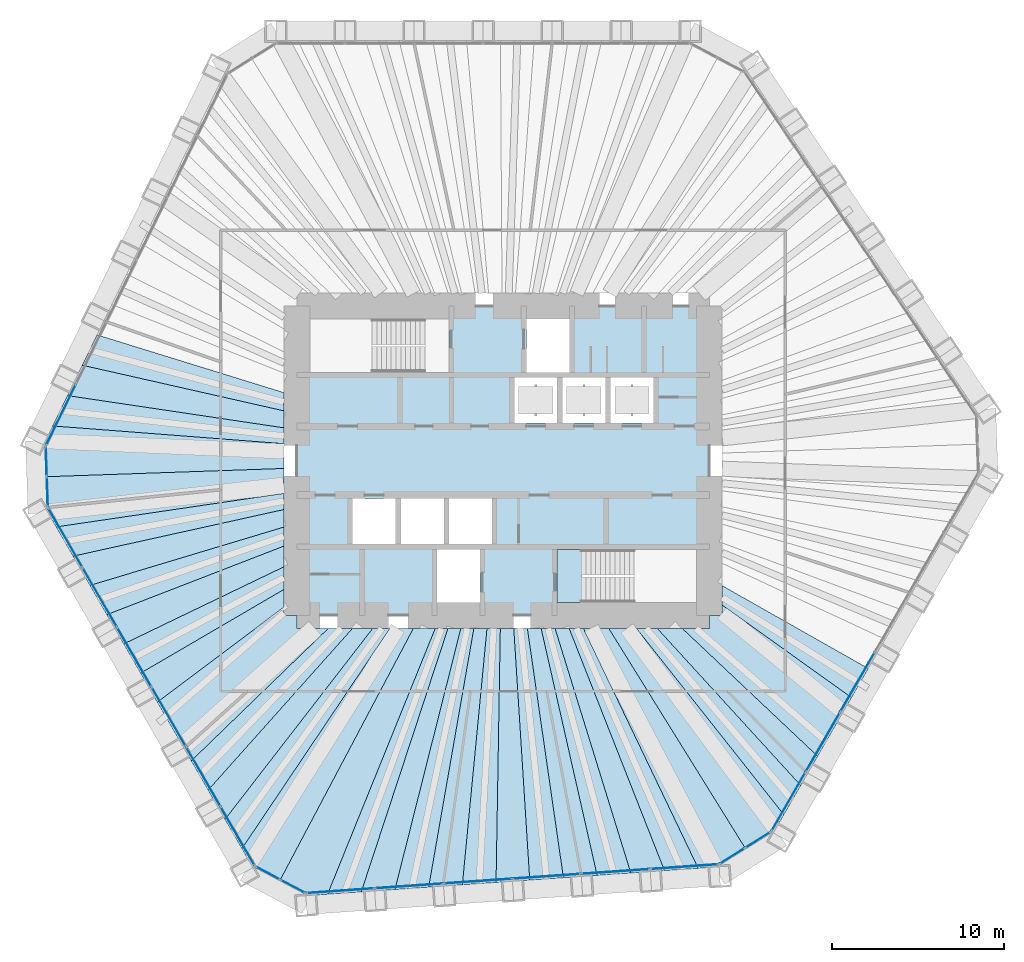
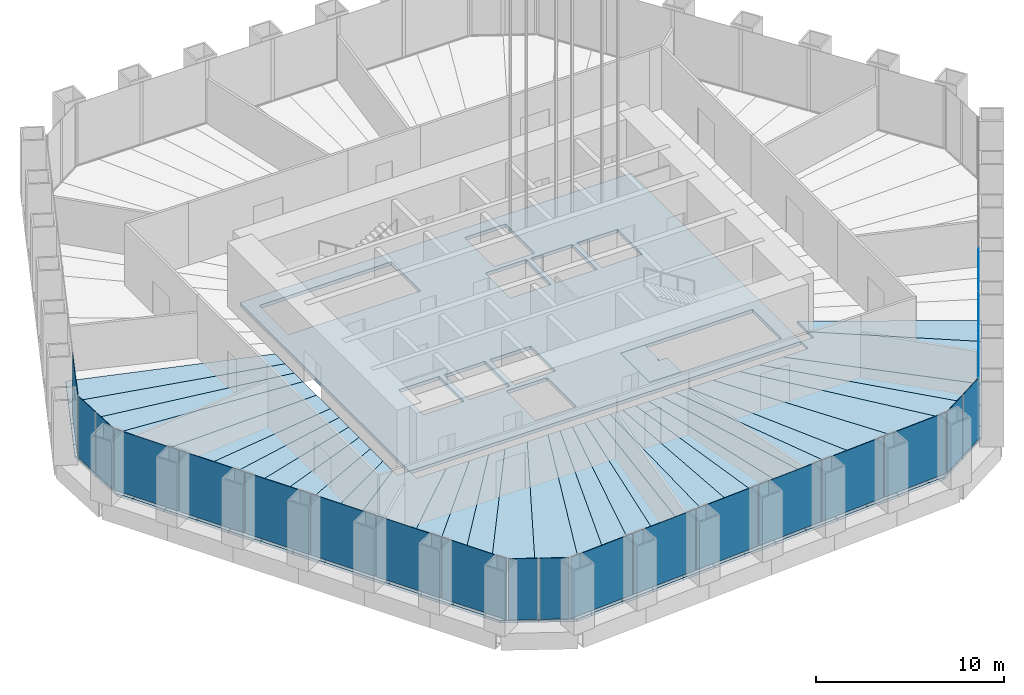
# One storey, part 8 of 20: 36 slabs, 22 plates, 8 elements without a shape of their own.
"""IFC4 building model written with IfcOpenShell, lengths in metres."""

from ifc_helpers import new_model, si_unit, direction, frame, origin, origin_2d, place, context, subcontext, project, spatial, polyline, rectangle, outline, extrude, material, layer, layer_set, type_object, element, aggregate, save


model = new_model("IFC4")

# Units and contexts
model_context = context("Model", 3, precision=1e-05, world=origin(), true_north=direction((0.0, 1.0)))
body_context = subcontext(model_context, "Body", "Model", "MODEL_VIEW")
ifc_project = project(units=[si_unit("LENGTHUNIT", "METRE"), si_unit("AREAUNIT", "SQUARE_METRE"), si_unit("VOLUMEUNIT", "CUBIC_METRE"), si_unit("PLANEANGLEUNIT", "RADIAN"), si_unit("MASSUNIT", "GRAM", prefix="KILO")], contexts=[model_context])

# Site, building, storey
site_placement = place(None, origin())
site = spatial("IfcSite", under=ifc_project, at=site_placement, CompositionType="ELEMENT")
building_placement = place(site_placement, origin())
building = spatial("IfcBuilding", under=site, at=building_placement, Name="Qingtian Harvest Tower", CompositionType="ELEMENT")
storey_placement = place(building_placement, frame((0.0, 0.0, 103.0)))
storey = spatial("IfcBuildingStorey", under=building, at=storey_placement, Name="L20", CompositionType="ELEMENT", Elevation=103.0)

# Slabs
ifc_material_1 = material(Name="Concrete fc' 35 MPa", Category="concrete")
ifc_layer_1 = layer(ifc_material_1, 0.169921875)
ifc_layer_set_1 = layer_set([ifc_layer_1], Name="Composite floor slab FS17 170")
slab_type_1 = type_object("IfcSlabType", Name="Composite floor slab FS17 170", PredefinedType="FLOOR", material=ifc_layer_set_1)
slab_1_placement = place(storey_placement, frame((0.0, 0.0, -0.169921875)))
element("IfcSlab", 1, at=slab_1_placement, inside=storey, type_object=slab_type_1, Name="Floor slab L20 panel D01", PredefinedType="FLOOR", context=body_context, shape_type="SweptSolid", body=[
    extrude(outline(polyline([(-26.55419921875, -0.927490234375), (-12.75, -0.447998046875), (-12.75, -1.89599609375), (-26.0146484375, -3.851318359375), (-26.480224609375, -3.045166015625), (-26.55419921875, -0.927490234375)])), origin(), (0.0, 0.0, 1.0), 0.169921875),
])
slab_2_placement = place(storey_placement, frame((0.0, 0.0, -0.169921875)))
element("IfcSlab", 2, at=slab_2_placement, inside=storey, type_object=slab_type_1, Name="Floor slab L20 panel D02", PredefinedType="FLOOR", context=body_context, shape_type="SweptSolid", body=[
    extrude(outline(polyline([(-12.75, -2.838134765625), (-25.03173828125, -5.5537109375), (-26.0146484375, -3.851318359375), (-12.75, -1.89599609375), (-12.75, -2.838134765625)])), origin(), (0.0, 0.0, 1.0), 0.169921875),
])
slab_3_placement = place(storey_placement, frame((0.0, 0.0, -0.169921875)))
element("IfcSlab", 3, at=slab_3_placement, inside=storey, type_object=slab_type_1, Name="Floor slab L20 panel D03", PredefinedType="FLOOR", context=body_context, shape_type="SweptSolid", body=[
    extrude(outline(polyline([(-12.75, -3.857666015625), (-24.048828125, -7.256103515625), (-25.03173828125, -5.5537109375), (-12.75, -2.838134765625), (-12.75, -3.857666015625)])), origin(), (0.0, 0.0, 1.0), 0.169921875),
])
slab_4_placement = place(storey_placement, frame((0.0, 0.0, -0.169921875)))
element("IfcSlab", 4, at=slab_4_placement, inside=storey, type_object=slab_type_1, Name="Floor slab L20 panel D04", PredefinedType="FLOOR", context=body_context, shape_type="SweptSolid", body=[
    extrude(outline(polyline([(-12.75, -4.9638671875), (-23.06591796875, -8.95849609375), (-24.048828125, -7.256103515625), (-12.75, -3.857666015625), (-12.75, -4.9638671875)])), origin(), (0.0, 0.0, 1.0), 0.169921875),
])
slab_5_placement = place(storey_placement, frame((0.0, 0.0, -0.169921875)))
element("IfcSlab", 5, at=slab_5_placement, inside=storey, type_object=slab_type_1, Name="Floor slab L20 panel D05", PredefinedType="FLOOR", context=body_context, shape_type="SweptSolid", body=[
    extrude(outline(polyline([(-12.75, -6.1689453125), (-22.0830078125, -10.660888671875), (-23.06591796875, -8.95849609375), (-12.75, -4.9638671875), (-12.75, -6.1689453125)])), origin(), (0.0, 0.0, 1.0), 0.169921875),
])
slab_6_placement = place(storey_placement, frame((0.0, 0.0, -0.169921875)))
element("IfcSlab", 6, at=slab_6_placement, inside=storey, type_object=slab_type_1, Name="Floor slab L20 panel D06", PredefinedType="FLOOR", context=body_context, shape_type="SweptSolid", body=[
    extrude(outline(polyline([(-12.75, -7.486328125), (-21.10009765625, -12.363525390625), (-22.0830078125, -10.660888671875), (-12.75, -6.1689453125), (-12.75, -7.486328125)])), origin(), (0.0, 0.0, 1.0), 0.169921875),
])
slab_7_placement = place(storey_placement, frame((0.0, 0.0, -0.169921875)))
element("IfcSlab", 7, at=slab_7_placement, inside=storey, type_object=slab_type_1, Name="Floor slab L20 panel D07", PredefinedType="FLOOR", context=body_context, shape_type="SweptSolid", body=[
    extrude(outline(polyline([(-12.75, -8.512451171875), (-20.126953125, -14.049072265625), (-21.10009765625, -12.363525390625), (-12.75, -7.486328125), (-12.75, -8.512451171875)])), origin(), (0.0, 0.0, 1.0), 0.169921875),
])
slab_8_placement = place(storey_placement, frame((0.0, 0.0, -0.169921875)))
element("IfcSlab", 8, at=slab_8_placement, inside=storey, type_object=slab_type_1, Name="Floor slab L20 panel D09", PredefinedType="FLOOR", context=body_context, shape_type="SweptSolid", body=[
    extrude(outline(polyline([(-18.152587890625, -17.46875), (-20.126953125, -14.049072265625), (-12.75, -8.512451171875), (-12.75, -9.0), (-12.0, -9.0), (-12.0, -9.75), (-10.168212890625, -9.75), (-18.152587890625, -17.46875)])), origin(), (0.0, 0.0, 1.0), 0.169921875),
])
slab_9_placement = place(storey_placement, frame((0.0, 0.0, -0.169921875)))
element("IfcSlab", 9, at=slab_9_placement, inside=storey, type_object=slab_type_1, Name="Floor slab L20 panel D10", PredefinedType="FLOOR", context=body_context, shape_type="SweptSolid", body=[
    extrude(outline(polyline([(-8.759521484375, -9.75), (-17.16943359375, -19.17138671875), (-18.152587890625, -17.46875), (-10.168212890625, -9.75), (-8.759521484375, -9.75)])), origin(), (0.0, 0.0, 1.0), 0.169921875),
])
slab_10_placement = place(storey_placement, frame((0.0, 0.0, -0.169921875)))
element("IfcSlab", 10, at=slab_10_placement, inside=storey, type_object=slab_type_1, Name="Floor slab L20 panel D11", PredefinedType="FLOOR", context=body_context, shape_type="SweptSolid", body=[
    extrude(outline(polyline([(-7.58203125, -9.75), (-16.1865234375, -20.8740234375), (-17.16943359375, -19.17138671875), (-8.759521484375, -9.75), (-7.58203125, -9.75)])), origin(), (0.0, 0.0, 1.0), 0.169921875),
])
slab_11_placement = place(storey_placement, frame((0.0, 0.0, -0.169921875)))
element("IfcSlab", 11, at=slab_11_placement, inside=storey, type_object=slab_type_1, Name="Floor slab L20 panel D12", PredefinedType="FLOOR", context=body_context, shape_type="SweptSolid", body=[
    extrude(outline(polyline([(-6.5830078125, -9.75), (-15.20361328125, -22.576416015625), (-16.1865234375, -20.8740234375), (-7.58203125, -9.75), (-6.5830078125, -9.75)])), origin(), (0.0, 0.0, 1.0), 0.169921875),
])
slab_12_placement = place(storey_placement, frame((0.0, 0.0, -0.169921875)))
element("IfcSlab", 12, at=slab_12_placement, inside=storey, type_object=slab_type_1, Name="Floor slab L20 panel D13", PredefinedType="FLOOR", context=body_context, shape_type="SweptSolid", body=[
    extrude(outline(polyline([(-6.5830078125, -9.75), (-5.21875, -9.75), (-12.94189453125, -24.337890625), (-14.738037109375, -23.3828125), (-15.20361328125, -22.576416015625), (-6.5830078125, -9.75)])), origin(), (0.0, 0.0, 1.0), 0.169921875),
])
slab_13_placement = place(storey_placement, frame((0.0, 0.0, -0.169921875)))
element("IfcSlab", 13, at=slab_13_placement, inside=storey, type_object=slab_type_1, Name="Floor slab L20 panel D14", PredefinedType="FLOOR", context=body_context, shape_type="SweptSolid", body=[
    extrude(outline(polyline([(-5.21875, -9.75), (-3.947021484375, -9.75), (-10.215576171875, -25.22900390625), (-11.143798828125, -25.2939453125), (-12.94189453125, -24.337890625), (-5.21875, -9.75)])), origin(), (0.0, 0.0, 1.0), 0.169921875),
])
slab_14_placement = place(storey_placement, frame((0.0, 0.0, -0.169921875)))
element("IfcSlab", 14, at=slab_14_placement, inside=storey, type_object=slab_type_1, Name="Floor slab L20 panel D15", PredefinedType="FLOOR", context=body_context, shape_type="SweptSolid", body=[
    extrude(outline(polyline([(-3.20654296875, -9.75), (-8.254638671875, -25.092041015625), (-10.215576171875, -25.22900390625), (-3.947021484375, -9.75), (-3.20654296875, -9.75)])), origin(), (0.0, 0.0, 1.0), 0.169921875),
])
slab_15_placement = place(storey_placement, frame((0.0, 0.0, -0.169921875)))
element("IfcSlab", 15, at=slab_15_placement, inside=storey, type_object=slab_type_1, Name="Floor slab L20 panel D16", PredefinedType="FLOOR", context=body_context, shape_type="SweptSolid", body=[
    extrude(outline(polyline([(-2.4580078125, -9.75), (-6.293701171875, -24.954833984375), (-8.254638671875, -25.092041015625), (-3.20654296875, -9.75), (-2.4580078125, -9.75)])), origin(), (0.0, 0.0, 1.0), 0.169921875),
])
slab_16_placement = place(storey_placement, frame((0.0, 0.0, -0.169921875)))
element("IfcSlab", 16, at=slab_16_placement, inside=storey, type_object=slab_type_1, Name="Floor slab L20 panel D17", PredefinedType="FLOOR", context=body_context, shape_type="SweptSolid", body=[
    extrude(outline(polyline([(-1.701171875, -9.75), (-4.332763671875, -24.817626953125), (-6.293701171875, -24.954833984375), (-2.4580078125, -9.75), (-1.701171875, -9.75)])), origin(), (0.0, 0.0, 1.0), 0.169921875),
])
slab_17_placement = place(storey_placement, frame((0.0, 0.0, -0.169921875)))
element("IfcSlab", 17, at=slab_17_placement, inside=storey, type_object=slab_type_1, Name="Floor slab L20 panel D18", PredefinedType="FLOOR", context=body_context, shape_type="SweptSolid", body=[
    extrude(outline(polyline([(-0.93603515625, -9.75), (-2.371826171875, -24.6806640625), (-4.332763671875, -24.817626953125), (-1.701171875, -9.75), (-0.93603515625, -9.75)])), origin(), (0.0, 0.0, 1.0), 0.169921875),
])
slab_18_placement = place(storey_placement, frame((0.0, 0.0, -0.169921875)))
element("IfcSlab", 18, at=slab_18_placement, inside=storey, type_object=slab_type_1, Name="Floor slab L20 panel D19", PredefinedType="FLOOR", context=body_context, shape_type="SweptSolid", body=[
    extrude(outline(polyline([(-0.162109375, -9.75), (-0.410888671875, -24.54345703125), (-2.371826171875, -24.6806640625), (-0.93603515625, -9.75), (-0.162109375, -9.75)])), origin(), (0.0, 0.0, 1.0), 0.169921875),
])
slab_19_placement = place(storey_placement, frame((0.0, 0.0, -0.169921875)))
element("IfcSlab", 19, at=slab_19_placement, inside=storey, type_object=slab_type_1, Name="Floor slab L20 panel D20", PredefinedType="FLOOR", context=body_context, shape_type="SweptSolid", body=[
    extrude(outline(polyline([(0.620361328125, -9.75), (1.550048828125, -24.40625), (-0.410888671875, -24.54345703125), (-0.162109375, -9.75), (0.620361328125, -9.75)])), origin(), (0.0, 0.0, 1.0), 0.169921875),
])
slab_20_placement = place(storey_placement, frame((0.0, 0.0, -0.169921875)))
element("IfcSlab", 20, at=slab_20_placement, inside=storey, type_object=slab_type_1, Name="Floor slab L20 panel D21", PredefinedType="FLOOR", context=body_context, shape_type="SweptSolid", body=[
    extrude(outline(polyline([(1.41162109375, -9.75), (3.510986328125, -24.269287109375), (1.550048828125, -24.40625), (0.620361328125, -9.75), (1.41162109375, -9.75)])), origin(), (0.0, 0.0, 1.0), 0.169921875),
])
slab_21_placement = place(storey_placement, frame((0.0, 0.0, -0.169921875)))
element("IfcSlab", 21, at=slab_21_placement, inside=storey, type_object=slab_type_1, Name="Floor slab L20 panel D22", PredefinedType="FLOOR", context=body_context, shape_type="SweptSolid", body=[
    extrude(outline(polyline([(2.2119140625, -9.75), (5.471923828125, -24.132080078125), (3.510986328125, -24.269287109375), (1.41162109375, -9.75), (2.2119140625, -9.75)])), origin(), (0.0, 0.0, 1.0), 0.169921875),
])
slab_22_placement = place(storey_placement, frame((0.0, 0.0, -0.169921875)))
element("IfcSlab", 22, at=slab_22_placement, inside=storey, type_object=slab_type_1, Name="Floor slab L20 panel D23", PredefinedType="FLOOR", context=body_context, shape_type="SweptSolid", body=[
    extrude(outline(polyline([(3.021484375, -9.75), (7.432861328125, -23.994873046875), (5.471923828125, -24.132080078125), (2.2119140625, -9.75), (3.021484375, -9.75)])), origin(), (0.0, 0.0, 1.0), 0.169921875),
])
slab_23_placement = place(storey_placement, frame((0.0, 0.0, -0.169921875)))
element("IfcSlab", 23, at=slab_23_placement, inside=storey, type_object=slab_type_1, Name="Floor slab L20 panel D24", PredefinedType="FLOOR", context=body_context, shape_type="SweptSolid", body=[
    extrude(outline(polyline([(3.840087890625, -9.75), (9.393798828125, -23.85791015625), (7.432861328125, -23.994873046875), (3.021484375, -9.75), (3.840087890625, -9.75)])), origin(), (0.0, 0.0, 1.0), 0.169921875),
])
slab_24_placement = place(storey_placement, frame((0.0, 0.0, -0.169921875)))
element("IfcSlab", 24, at=slab_24_placement, inside=storey, type_object=slab_type_1, Name="Floor slab L20 panel D25", PredefinedType="FLOOR", context=body_context, shape_type="SweptSolid", body=[
    extrude(outline(polyline([(4.66845703125, -9.75), (11.354736328125, -23.720703125), (9.393798828125, -23.85791015625), (3.840087890625, -9.75), (4.66845703125, -9.75)])), origin(), (0.0, 0.0, 1.0), 0.169921875),
])
slab_25_placement = place(storey_placement, frame((0.0, 0.0, -0.169921875)))
element("IfcSlab", 25, at=slab_25_placement, inside=storey, type_object=slab_type_1, Name="Floor slab L20 panel D26", PredefinedType="FLOOR", context=body_context, shape_type="SweptSolid", body=[
    extrude(outline(polyline([(4.66845703125, -9.75), (6.14404296875, -9.75), (14.08154296875, -22.531982421875), (12.282958984375, -23.65576171875), (11.354736328125, -23.720703125), (4.66845703125, -9.75)])), origin(), (0.0, 0.0, 1.0), 0.169921875),
])
slab_26_placement = place(storey_placement, frame((0.0, 0.0, -0.169921875)))
element("IfcSlab", 26, at=slab_26_placement, inside=storey, type_object=slab_type_1, Name="Floor slab L20 panel D27", PredefinedType="FLOOR", context=body_context, shape_type="SweptSolid", body=[
    extrude(outline(polyline([(6.14404296875, -9.75), (7.756103515625, -9.75), (16.3427734375, -20.603271484375), (15.877197265625, -21.409912109375), (14.08154296875, -22.531982421875), (6.14404296875, -9.75)])), origin(), (0.0, 0.0, 1.0), 0.169921875),
])
slab_27_placement = place(storey_placement, frame((0.0, 0.0, -0.169921875)))
element("IfcSlab", 27, at=slab_27_placement, inside=storey, type_object=slab_type_1, Name="Floor slab L20 panel D28", PredefinedType="FLOOR", context=body_context, shape_type="SweptSolid", body=[
    extrude(outline(polyline([(8.966552734375, -9.75), (17.325927734375, -18.90087890625), (16.3427734375, -20.603271484375), (7.756103515625, -9.75), (8.966552734375, -9.75)])), origin(), (0.0, 0.0, 1.0), 0.169921875),
])
slab_28_placement = place(storey_placement, frame((0.0, 0.0, -0.169921875)))
element("IfcSlab", 28, at=slab_28_placement, inside=storey, type_object=slab_type_1, Name="Floor slab L20 panel D29", PredefinedType="FLOOR", context=body_context, shape_type="SweptSolid", body=[
    extrude(outline(polyline([(10.41796875, -9.75), (18.308837890625, -17.1982421875), (17.325927734375, -18.90087890625), (8.966552734375, -9.75), (10.41796875, -9.75)])), origin(), (0.0, 0.0, 1.0), 0.169921875),
])
slab_29_placement = place(storey_placement, frame((0.0, 0.0, -0.169921875)))
element("IfcSlab", 29, at=slab_29_placement, inside=storey, type_object=slab_type_1, Name="Floor slab L20 panel D31", PredefinedType="FLOOR", context=body_context, shape_type="SweptSolid", body=[
    extrude(outline(polyline([(12.75, -8.398681640625), (20.2802734375, -13.783447265625), (18.308837890625, -17.1982421875), (10.41796875, -9.75), (12.0, -9.75), (12.0, -9.0), (12.75, -9.0), (12.75, -8.398681640625)])), origin(), (0.0, 0.0, 1.0), 0.169921875),
])
slab_30_placement = place(storey_placement, frame((0.0, 0.0, -0.169921875)))
element("IfcSlab", 30, at=slab_30_placement, inside=storey, type_object=slab_type_1, Name="Floor slab L20 panel D32", PredefinedType="FLOOR", context=body_context, shape_type="SweptSolid", body=[
    extrude(outline(polyline([(12.75, -7.268798828125), (21.25634765625, -12.0927734375), (20.2802734375, -13.783447265625), (12.75, -8.398681640625), (12.75, -7.268798828125)])), origin(), (0.0, 0.0, 1.0), 0.169921875),
])
slab_31_placement = place(storey_placement, frame((0.0, 0.0, -0.169921875)))
element("IfcSlab", 31, at=slab_31_placement, inside=storey, type_object=slab_type_1, Name="Floor slab L20 panel D75", PredefinedType="FLOOR", context=body_context, shape_type="SweptSolid", body=[
    extrude(outline(polyline([(-12.75, 2.903076171875), (-24.49658203125, 5.560791015625), (-23.634765625, 7.32763671875), (-12.75, 3.962646484375), (-12.75, 2.903076171875)])), origin(), (0.0, 0.0, 1.0), 0.169921875),
])
slab_32_placement = place(storey_placement, frame((0.0, 0.0, -0.169921875)))
element("IfcSlab", 32, at=slab_32_placement, inside=storey, type_object=slab_type_1, Name="Floor slab L20 panel D76", PredefinedType="FLOOR", context=body_context, shape_type="SweptSolid", body=[
    extrude(outline(polyline([(-12.75, 1.91552734375), (-25.358154296875, 3.7939453125), (-24.49658203125, 5.560791015625), (-12.75, 2.903076171875), (-12.75, 1.91552734375)])), origin(), (0.0, 0.0, 1.0), 0.169921875),
])
slab_33_placement = place(storey_placement, frame((0.0, 0.0, -0.169921875)))
element("IfcSlab", 33, at=slab_33_placement, inside=storey, type_object=slab_type_1, Name="Floor slab L20 panel D77", PredefinedType="FLOOR", context=body_context, shape_type="SweptSolid", body=[
    extrude(outline(polyline([(-12.75, 0.992919921875), (-26.219970703125, 2.027099609375), (-25.358154296875, 3.7939453125), (-12.75, 1.91552734375), (-12.75, 0.992919921875)])), origin(), (0.0, 0.0, 1.0), 0.169921875),
])
slab_34_placement = place(storey_placement, frame((0.0, 0.0, -0.169921875)))
element("IfcSlab", 34, at=slab_34_placement, inside=storey, type_object=slab_type_1, Name="Floor slab L20 panel D78", PredefinedType="FLOOR", context=body_context, shape_type="SweptSolid", body=[
    extrude(outline(polyline([(-12.75, 0.992919921875), (-12.75, -0.447998046875), (-26.55419921875, -0.927490234375), (-26.6279296875, 1.1904296875), (-26.219970703125, 2.027099609375), (-12.75, 0.992919921875)])), origin(), (0.0, 0.0, 1.0), 0.169921875),
])
ifc_material_2 = material(Name="Concrete fc' 35 MPa", Category="concrete")
ifc_layer_2 = layer(ifc_material_2, 0.219970703125)
ifc_layer_set_2 = layer_set([ifc_layer_2], Name="Core floor slab CS22 220")
slab_type_2 = type_object("IfcSlabType", Name="Core floor slab CS22 220", PredefinedType="FLOOR", material=ifc_layer_set_2)
slab_35_placement = place(storey_placement, frame((0.0, 0.0, -0.219970703125)))
element("IfcSlab", 35, at=slab_35_placement, inside=storey, type_object=slab_type_2, Name="Core floor slab L20", PredefinedType="FLOOR", context=body_context, shape_type="SweptSolid", body=[
    extrude(outline(polyline([(-12.0, -9.0), (12.0, -9.0), (12.0, 9.0), (-12.0, 9.0), (-12.0, -9.0)]), holes=[polyline([(-11.25, 5.14990234375), (-3.14990234375, 5.14990234375), (-3.14990234375, 8.25), (-11.25, 8.25), (-11.25, 5.14990234375)]), polyline([(3.14990234375, -8.25), (11.25, -8.25), (11.25, -5.14990234375), (3.14990234375, -5.14990234375), (3.14990234375, -8.25)]), polyline([(1.35009765625, 5.14990234375), (3.85009765625, 5.14990234375), (3.85009765625, 8.25), (1.35009765625, 8.25), (1.35009765625, 5.14990234375)]), polyline([(-3.85009765625, -8.25), (-1.35009765625, -8.25), (-1.35009765625, -5.14990234375), (-3.85009765625, -5.14990234375), (-3.85009765625, -8.25)]), polyline([(0.64990234375, 2.199951171875), (3.14990234375, 2.199951171875), (3.14990234375, 4.85009765625), (0.64990234375, 4.85009765625), (0.64990234375, 2.199951171875)]), polyline([(3.449951171875, 2.199951171875), (5.949951171875, 2.199951171875), (5.949951171875, 4.85009765625), (3.449951171875, 4.85009765625), (3.449951171875, 2.199951171875)]), polyline([(6.25, 2.199951171875), (8.75, 2.199951171875), (8.75, 4.85009765625), (6.25, 4.85009765625), (6.25, 2.199951171875)]), polyline([(-8.75, -4.85009765625), (-6.25, -4.85009765625), (-6.25, -2.199951171875), (-8.75, -2.199951171875), (-8.75, -4.85009765625)]), polyline([(-5.949951171875, -4.85009765625), (-3.449951171875, -4.85009765625), (-3.449951171875, -2.199951171875), (-5.949951171875, -2.199951171875), (-5.949951171875, -4.85009765625)]), polyline([(-3.14990234375, -4.85009765625), (-0.64990234375, -4.85009765625), (-0.64990234375, -2.199951171875), (-3.14990234375, -2.199951171875), (-3.14990234375, -4.85009765625)])]), origin(), (0.0, 0.0, 1.0), 0.219970703125),
])

# Curtain wall, plates
ifc_material_3 = material(Name="Bronze-anodised aluminium curtain wall", Category="aluminium")
curtain_wall_type = type_object("IfcCurtainWallType", Name="Curtain wall CW3 sky lobby", PredefinedType="USERDEFINED", material=ifc_material_3)
curtain_wall_1_placement = place(storey_placement, origin())
curtain_wall_1 = element("IfcCurtainWall", 36, at=curtain_wall_1_placement, inside=storey, type_object=curtain_wall_type, Name="Curtain wall CW3 L20 SE0-5", ObjectType="RECESSED CURTAIN WALL", PredefinedType="USERDEFINED")
ifc_material_4 = material(Name="Bronze-tinted laminated insulating glass", Category="glass")
ifc_layer_3 = layer(ifc_material_4, 0.030029296875)
ifc_layer_set_3 = layer_set([ifc_layer_3], Name="Glazed panel CWP tinted IGU")
plate_type = type_object("IfcPlateType", Name="Glazed panel CWP tinted IGU", PredefinedType="CURTAIN_PANEL", material=ifc_layer_set_3)
plate_1_placement = place(storey_placement, frame((20.621826171875, -12.8818359375, 0.06494140625), z_axis=(0.0, 0.0, 1.0), x_axis=(-0.5, -0.866025403784, 0.0)))
plate_1 = element("IfcPlate", 37, at=plate_1_placement, type_object=plate_type, Name="CW3 panel 4.1", PredefinedType="CURTAIN_PANEL", context=body_context, shape_type="SweptSolid", body=[
    extrude(rectangle(XDim=3.9541015625, YDim=0.030029296875, at=origin_2d()), origin(), (0.0, 0.0, 1.0), 3.965087890625),
])
plate_2_placement = place(storey_placement, frame((18.6123046875, -16.362548828125, 0.06494140625), z_axis=(0.0, 0.0, 1.0), x_axis=(-0.5, -0.866025403784, 0.0)))
plate_2 = element("IfcPlate", 38, at=plate_2_placement, type_object=plate_type, Name="CW3 panel 5.1", PredefinedType="CURTAIN_PANEL", context=body_context, shape_type="SweptSolid", body=[
    extrude(rectangle(XDim=3.9541015625, YDim=0.030029296875, at=origin_2d()), origin(), (0.0, 0.0, 1.0), 3.965087890625),
])
plate_3_placement = place(storey_placement, frame((16.61083984375, -19.8291015625, 0.06494140625), z_axis=(0.0, 0.0, 1.0), x_axis=(-0.5, -0.866025403784, 0.0)))
plate_3 = element("IfcPlate", 39, at=plate_3_placement, type_object=plate_type, Name="CW3 panel 6.1", PredefinedType="CURTAIN_PANEL", context=body_context, shape_type="SweptSolid", body=[
    extrude(rectangle(XDim=3.921630859375, YDim=0.030029296875, at=origin_2d()), origin(), (0.0, 0.0, 1.0), 3.965087890625),
])
aggregate(curtain_wall_1, [plate_1, plate_2, plate_3])

curtain_wall_2_placement = place(storey_placement, origin())
curtain_wall_2 = element("IfcCurtainWall", 40, at=curtain_wall_2_placement, inside=storey, type_object=curtain_wall_type, Name="Curtain wall CW3 L20 SEC", ObjectType="RECESSED CURTAIN WALL", PredefinedType="USERDEFINED")
plate_4_placement = place(storey_placement, frame((14.8251953125, -22.06640625, 0.06494140625), z_axis=(0.0, 0.0, 1.0), x_axis=(-0.848048096156, -0.529919264233, 0.0)))
plate_4 = element("IfcPlate", 41, at=plate_4_placement, type_object=plate_type, Name="CW3 panel 1.1", PredefinedType="CURTAIN_PANEL", context=body_context, shape_type="SweptSolid", body=[
    extrude(rectangle(XDim=1.69287109375, YDim=0.030029296875, at=origin_2d()), origin(), (0.0, 0.0, 1.0), 3.965087890625),
])
plate_5_placement = place(storey_placement, frame((13.334228515625, -22.998046875, 0.06494140625), z_axis=(0.0, 0.0, 1.0), x_axis=(-0.848048096156, -0.529919264233, 0.0)))
plate_5 = element("IfcPlate", 42, at=plate_5_placement, type_object=plate_type, Name="CW3 panel 2.1", PredefinedType="CURTAIN_PANEL", context=body_context, shape_type="SweptSolid", body=[
    extrude(rectangle(XDim=1.69287109375, YDim=0.030029296875, at=origin_2d()), origin(), (0.0, 0.0, 1.0), 3.965087890625),
])
aggregate(curtain_wall_2, [plate_4, plate_5])

curtain_wall_3_placement = place(storey_placement, origin())
curtain_wall_3 = element("IfcCurtainWall", 43, at=curtain_wall_3_placement, inside=storey, type_object=curtain_wall_type, Name="Curtain wall CW3 L20 S0-5", ObjectType="RECESSED CURTAIN WALL", PredefinedType="USERDEFINED")
plate_6_placement = place(storey_placement, frame((10.54052734375, -23.622314453125, 0.06494140625), z_axis=(0.0, 0.0, 1.0), x_axis=(-0.99756405026, -0.069756473744, 0.0)))
plate_6 = element("IfcPlate", 44, at=plate_6_placement, type_object=plate_type, Name="CW3 panel 1.1", PredefinedType="CURTAIN_PANEL", context=body_context, shape_type="SweptSolid", body=[
    extrude(rectangle(XDim=3.921630859375, YDim=0.030029296875, at=origin_2d()), origin(), (0.0, 0.0, 1.0), 3.965087890625),
])
plate_7_placement = place(storey_placement, frame((6.54736328125, -23.901611328125, 0.06494140625), z_axis=(0.0, 0.0, 1.0), x_axis=(-0.99756405026, -0.069756473744, 0.0)))
plate_7 = element("IfcPlate", 45, at=plate_7_placement, type_object=plate_type, Name="CW3 panel 2.1", PredefinedType="CURTAIN_PANEL", context=body_context, shape_type="SweptSolid", body=[
    extrude(rectangle(XDim=3.9541015625, YDim=0.030029296875, at=origin_2d()), origin(), (0.0, 0.0, 1.0), 3.965087890625),
])
plate_8_placement = place(storey_placement, frame((2.5380859375, -24.181884765625, 0.06494140625), z_axis=(0.0, 0.0, 1.0), x_axis=(-0.99756405026, -0.069756473744, 0.0)))
plate_8 = element("IfcPlate", 46, at=plate_8_placement, type_object=plate_type, Name="CW3 panel 3.1", PredefinedType="CURTAIN_PANEL", context=body_context, shape_type="SweptSolid", body=[
    extrude(rectangle(XDim=3.9541015625, YDim=0.030029296875, at=origin_2d()), origin(), (0.0, 0.0, 1.0), 3.965087890625),
])
plate_9_placement = place(storey_placement, frame((-1.47119140625, -24.462158203125, 0.06494140625), z_axis=(0.0, 0.0, 1.0), x_axis=(-0.99756405026, -0.069756473744, 0.0)))
plate_9 = element("IfcPlate", 47, at=plate_9_placement, type_object=plate_type, Name="CW3 panel 4.1", PredefinedType="CURTAIN_PANEL", context=body_context, shape_type="SweptSolid", body=[
    extrude(rectangle(XDim=3.9541015625, YDim=0.030029296875, at=origin_2d()), origin(), (0.0, 0.0, 1.0), 3.965087890625),
])
plate_10_placement = place(storey_placement, frame((-5.48046875, -24.74267578125, 0.06494140625), z_axis=(0.0, 0.0, 1.0), x_axis=(-0.99756405026, -0.069756473744, 0.0)))
plate_10 = element("IfcPlate", 48, at=plate_10_placement, type_object=plate_type, Name="CW3 panel 5.1", PredefinedType="CURTAIN_PANEL", context=body_context, shape_type="SweptSolid", body=[
    extrude(rectangle(XDim=3.9541015625, YDim=0.030029296875, at=origin_2d()), origin(), (0.0, 0.0, 1.0), 3.965087890625),
])
plate_11_placement = place(storey_placement, frame((-9.4736328125, -25.021728515625, 0.06494140625), z_axis=(0.0, 0.0, 1.0), x_axis=(-0.99756405026, -0.069756473744, 0.0)))
plate_11 = element("IfcPlate", 49, at=plate_11_placement, type_object=plate_type, Name="CW3 panel 6.1", PredefinedType="CURTAIN_PANEL", context=body_context, shape_type="SweptSolid", body=[
    extrude(rectangle(XDim=3.921630859375, YDim=0.030029296875, at=origin_2d()), origin(), (0.0, 0.0, 1.0), 3.965087890625),
])
aggregate(curtain_wall_3, [plate_6, plate_7, plate_8, plate_9, plate_10, plate_11])

curtain_wall_4_placement = place(storey_placement, origin())
curtain_wall_4 = element("IfcCurtainWall", 50, at=curtain_wall_4_placement, inside=storey, type_object=curtain_wall_type, Name="Curtain wall CW3 L20 SC", ObjectType="RECESSED CURTAIN WALL", PredefinedType="USERDEFINED")
plate_12_placement = place(storey_placement, frame((-12.24365234375, -24.764892578125, 0.06494140625), z_axis=(0.0, 0.0, 1.0), x_axis=(-0.882947592859, 0.469471562786, 0.0)))
plate_12 = element("IfcPlate", 51, at=plate_12_placement, type_object=plate_type, Name="CW3 panel 1.1", PredefinedType="CURTAIN_PANEL", context=body_context, shape_type="SweptSolid", body=[
    extrude(rectangle(XDim=1.56689453125, YDim=0.030029296875, at=origin_2d()), origin(), (0.0, 0.0, 1.0), 3.965087890625),
])
plate_13_placement = place(storey_placement, frame((-13.684326171875, -23.998779296875, 0.06494140625), z_axis=(0.0, 0.0, 1.0), x_axis=(-0.882947592859, 0.469471562786, 0.0)))
plate_13 = element("IfcPlate", 52, at=plate_13_placement, type_object=plate_type, Name="CW3 panel 2.1", PredefinedType="CURTAIN_PANEL", context=body_context, shape_type="SweptSolid", body=[
    extrude(rectangle(XDim=1.56689453125, YDim=0.030029296875, at=origin_2d()), origin(), (0.0, 0.0, 1.0), 3.965087890625),
])
aggregate(curtain_wall_4, [plate_12, plate_13])

curtain_wall_5_placement = place(storey_placement, origin())
curtain_wall_5 = element("IfcCurtainWall", 53, at=curtain_wall_5_placement, inside=storey, type_object=curtain_wall_type, Name="Curtain wall CW3 L20 SW0-5", ObjectType="RECESSED CURTAIN WALL", PredefinedType="USERDEFINED")
plate_14_placement = place(storey_placement, frame((-15.446533203125, -21.845947265625, 0.06494140625), z_axis=(0.0, 0.0, 1.0), x_axis=(-0.5, 0.866025403784, 0.0)))
plate_14 = element("IfcPlate", 54, at=plate_14_placement, type_object=plate_type, Name="CW3 panel 1.1", PredefinedType="CURTAIN_PANEL", context=body_context, shape_type="SweptSolid", body=[
    extrude(rectangle(XDim=3.921630859375, YDim=0.030029296875, at=origin_2d()), origin(), (0.0, 0.0, 1.0), 3.965087890625),
])
plate_15_placement = place(storey_placement, frame((-17.44775390625, -18.37939453125, 0.06494140625), z_axis=(0.0, 0.0, 1.0), x_axis=(-0.5, 0.866025403784, 0.0)))
plate_15 = element("IfcPlate", 55, at=plate_15_placement, type_object=plate_type, Name="CW3 panel 2.1", PredefinedType="CURTAIN_PANEL", context=body_context, shape_type="SweptSolid", body=[
    extrude(rectangle(XDim=3.9541015625, YDim=0.030029296875, at=origin_2d()), origin(), (0.0, 0.0, 1.0), 3.965087890625),
])
plate_16_placement = place(storey_placement, frame((-19.45751953125, -14.898681640625, 0.06494140625), z_axis=(0.0, 0.0, 1.0), x_axis=(-0.5, 0.866025403784, 0.0)))
plate_16 = element("IfcPlate", 56, at=plate_16_placement, type_object=plate_type, Name="CW3 panel 3.1", PredefinedType="CURTAIN_PANEL", context=body_context, shape_type="SweptSolid", body=[
    extrude(rectangle(XDim=3.9541015625, YDim=0.030029296875, at=origin_2d()), origin(), (0.0, 0.0, 1.0), 3.965087890625),
])
plate_17_placement = place(storey_placement, frame((-21.467041015625, -11.418212890625, 0.06494140625), z_axis=(0.0, 0.0, 1.0), x_axis=(-0.5, 0.866025403784, 0.0)))
plate_17 = element("IfcPlate", 57, at=plate_17_placement, type_object=plate_type, Name="CW3 panel 4.1", PredefinedType="CURTAIN_PANEL", context=body_context, shape_type="SweptSolid", body=[
    extrude(rectangle(XDim=3.9541015625, YDim=0.030029296875, at=origin_2d()), origin(), (0.0, 0.0, 1.0), 3.965087890625),
])
plate_18_placement = place(storey_placement, frame((-23.4765625, -7.9375, 0.06494140625), z_axis=(0.0, 0.0, 1.0), x_axis=(-0.5, 0.866025403784, 0.0)))
plate_18 = element("IfcPlate", 58, at=plate_18_placement, type_object=plate_type, Name="CW3 panel 5.1", PredefinedType="CURTAIN_PANEL", context=body_context, shape_type="SweptSolid", body=[
    extrude(rectangle(XDim=3.9541015625, YDim=0.030029296875, at=origin_2d()), origin(), (0.0, 0.0, 1.0), 3.965087890625),
])
plate_19_placement = place(storey_placement, frame((-25.477783203125, -4.470947265625, 0.06494140625), z_axis=(0.0, 0.0, 1.0), x_axis=(-0.5, 0.866025403784, 0.0)))
plate_19 = element("IfcPlate", 59, at=plate_19_placement, type_object=plate_type, Name="CW3 panel 6.1", PredefinedType="CURTAIN_PANEL", context=body_context, shape_type="SweptSolid", body=[
    extrude(rectangle(XDim=3.921630859375, YDim=0.030029296875, at=origin_2d()), origin(), (0.0, 0.0, 1.0), 3.965087890625),
])
aggregate(curtain_wall_5, [plate_14, plate_15, plate_16, plate_17, plate_18, plate_19])

curtain_wall_6_placement = place(storey_placement, origin())
curtain_wall_6 = element("IfcCurtainWall", 60, at=curtain_wall_6_placement, inside=storey, type_object=curtain_wall_type, Name="Curtain wall CW3 L20 SWC", ObjectType="RECESSED CURTAIN WALL", PredefinedType="USERDEFINED")
plate_20_placement = place(storey_placement, frame((-26.522705078125, -1.8056640625, 0.06494140625), z_axis=(0.0, 0.0, 1.0), x_axis=(-0.034899496703, 0.999390827019, 0.0)))
plate_20 = element("IfcPlate", 61, at=plate_20_placement, type_object=plate_type, Name="CW3 panel 1.1", PredefinedType="CURTAIN_PANEL", context=body_context, shape_type="SweptSolid", body=[
    extrude(rectangle(XDim=1.69287109375, YDim=0.030029296875, at=origin_2d()), origin(), (0.0, 0.0, 1.0), 3.965087890625),
])
plate_21_placement = place(storey_placement, frame((-26.583984375, -0.048828125, 0.06494140625), z_axis=(0.0, 0.0, 1.0), x_axis=(-0.034899496703, 0.999390827019, 0.0)))
plate_21 = element("IfcPlate", 62, at=plate_21_placement, type_object=plate_type, Name="CW3 panel 2.1", PredefinedType="CURTAIN_PANEL", context=body_context, shape_type="SweptSolid", body=[
    extrude(rectangle(XDim=1.69287109375, YDim=0.030029296875, at=origin_2d()), origin(), (0.0, 0.0, 1.0), 3.965087890625),
])
aggregate(curtain_wall_6, [plate_20, plate_21])

# Curtain wall, plate
curtain_wall_7_placement = place(storey_placement, origin())
curtain_wall_7 = element("IfcCurtainWall", 63, at=curtain_wall_7_placement, inside=storey, type_object=curtain_wall_type, Name="Curtain wall CW3 L20 NW0-5", ObjectType="RECESSED CURTAIN WALL", PredefinedType="USERDEFINED")
plate_22_placement = place(storey_placement, frame((-25.727783203125, 2.682861328125, 0.06494140625), z_axis=(0.0, 0.0, 1.0), x_axis=(0.438371146789, 0.898794046299, 0.0)))
plate_22 = element("IfcPlate", 64, at=plate_22_placement, type_object=plate_type, Name="CW3 panel 1.1", PredefinedType="CURTAIN_PANEL", context=body_context, shape_type="SweptSolid", body=[
    extrude(rectangle(XDim=3.921630859375, YDim=0.030029296875, at=origin_2d()), origin(), (0.0, 0.0, 1.0), 3.965087890625),
])
aggregate(curtain_wall_7, [plate_22])

# Stair, slab
ifc_material_5 = material(Name="Concrete fc' 35 MPa", Category="concrete")
stair_type = type_object("IfcStairType", Name="Special stair ST3 4200", PredefinedType="HALF_TURN_STAIR", material=ifc_material_5)
stair_placement = place(storey_placement, origin())
stair = element("IfcStair", 65, at=stair_placement, inside=storey, type_object=stair_type, Name="Special stair S2 L20", PredefinedType="HALF_TURN_STAIR")
ifc_material_6 = material(Name="Concrete fc' 35 MPa", Category="concrete")
ifc_layer_4 = layer(ifc_material_6, 0.199951171875)
ifc_layer_set_4 = layer_set([ifc_layer_4], Name="Stair landing SL2 200")
slab_type_3 = type_object("IfcSlabType", Name="Stair landing SL2 200", PredefinedType="LANDING", material=ifc_layer_set_4)
slab_36_placement = place(storey_placement, frame((0.0, 0.0, -0.199951171875)))
slab_36 = element("IfcSlab", 66, at=slab_36_placement, type_object=slab_type_3, Name="S2 landing 1", PredefinedType="LANDING", context=body_context, shape_type="SweptSolid", body=[
    extrude(outline(polyline([(5.0849609375, -8.25), (3.14990234375, -8.25), (3.14990234375, -5.14990234375), (4.64990234375, -5.14990234375), (4.64990234375, -6.64990234375), (4.550048828125, -6.64990234375), (4.550048828125, -6.75), (5.0849609375, -6.75), (5.0849609375, -8.25)])), origin(), (0.0, 0.0, 1.0), 0.199951171875),
])
aggregate(stair, [slab_36])

save(model, "model.ifc")
